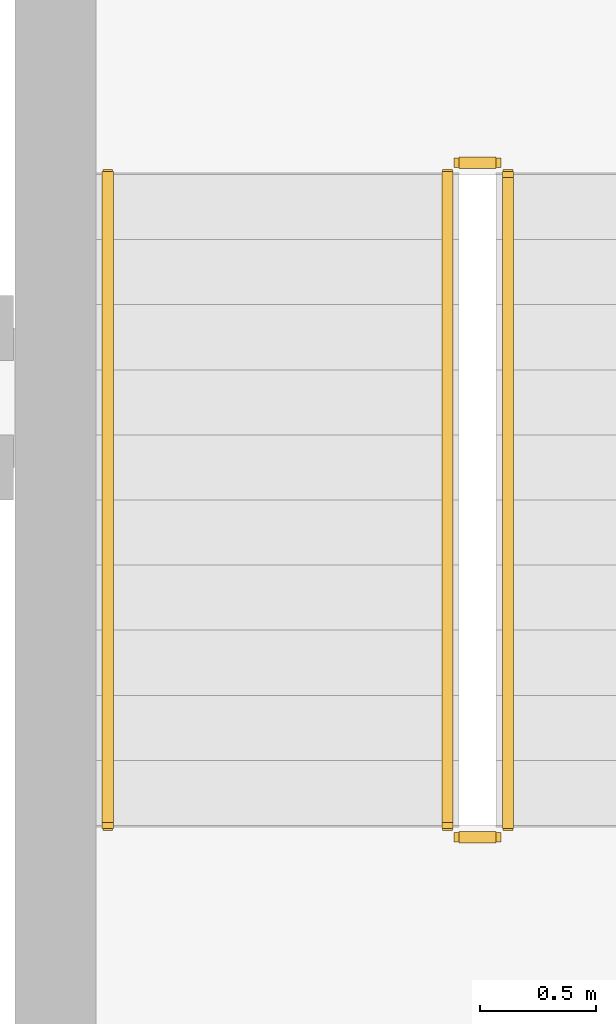
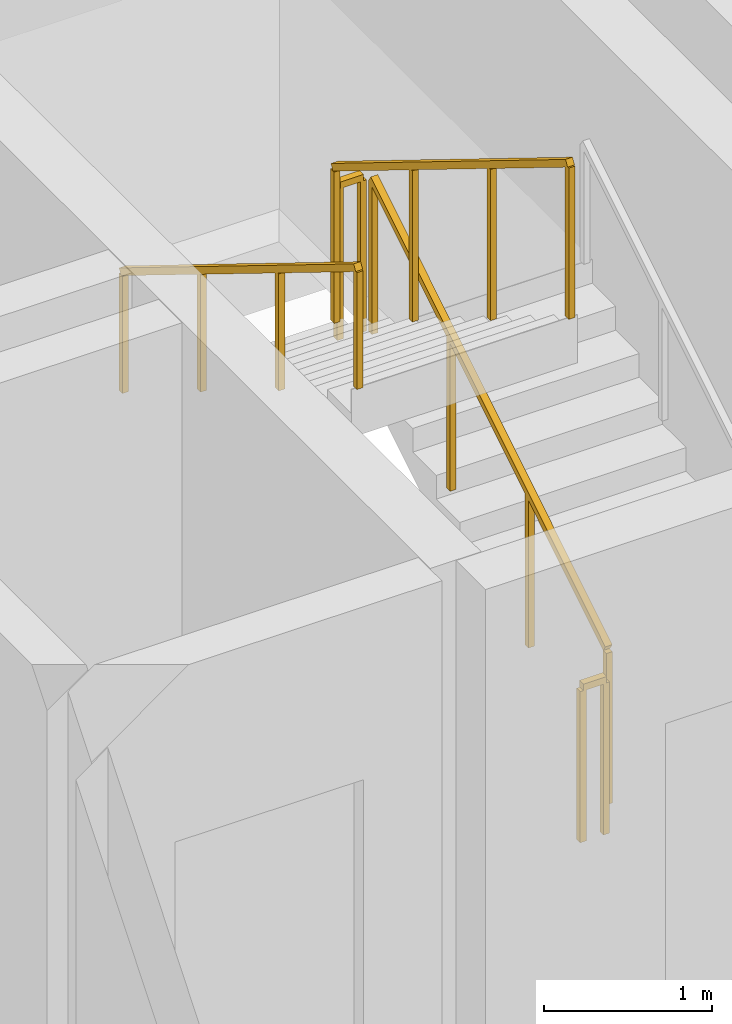
# One storey, part 13 of 14: 5 railings.
"""IFC4 building model written with IfcOpenShell, lengths in metres."""

from ifc_helpers import new_model, si_unit, direction, frame, origin, origin_2d, place, context, subcontext, project, spatial, rectangle, extrude, material, type_object, element, save


model = new_model("IFC4")

# Units and contexts
model_context = context("Model", 3, precision=1e-05, world=origin(), true_north=direction((0.0, 1.0)))
body_context = subcontext(model_context, "Body", "Model", "MODEL_VIEW")
ifc_project = project(units=[si_unit("LENGTHUNIT", "METRE"), si_unit("AREAUNIT", "SQUARE_METRE"), si_unit("VOLUMEUNIT", "CUBIC_METRE"), si_unit("PLANEANGLEUNIT", "RADIAN"), si_unit("MASSUNIT", "GRAM", prefix="KILO")], contexts=[model_context])

# Site, building, storey
site_placement = place(None, origin())
site = spatial("IfcSite", under=ifc_project, at=site_placement, CompositionType="ELEMENT")
building_placement = place(site_placement, origin())
building = spatial("IfcBuilding", under=site, at=building_placement, Name="Kaelvorn Grand Hotel", CompositionType="ELEMENT")
storey_placement = place(building_placement, frame((0.0, 0.0, 190.14990234375)))
storey = spatial("IfcBuildingStorey", under=building, at=storey_placement, Name="L46", CompositionType="ELEMENT", Elevation=190.14990234375)

# Railings
ifc_material = material(Name="Stainless Steel", Category="steel")
railing_type_1 = type_object("IfcRailingType", Name="RL-HANDRAIL-900", PredefinedType="HANDRAIL", material=ifc_material)
railing_1_placement = place(storey_placement, frame((63.3701171875, 44.56005859375, 2.07275390625)))
element("IfcRailing", 1, at=railing_1_placement, inside=storey, type_object=railing_type_1, Name="L46 ST3 stair handrail 2", PredefinedType="HANDRAIL", context=body_context, shape_type="SweptSolid", body=[
    extrude(rectangle(XDim=0.048095703125, YDim=0.048095703125, at=origin_2d()), frame((0.0, 0.0, 0.8759765625), z_axis=(0.0, -0.851089632645, 0.525020415988), x_axis=(1.0, 0.0, 0.0)), (0.0, 0.0, 1.0), 3.2900390625),
    extrude(rectangle(XDim=0.0419921875, YDim=0.0419921875, at=origin_2d()), origin(), (0.0, 0.0, 1.0), 0.851806640625),
    extrude(rectangle(XDim=0.0419921875, YDim=0.0419921875, at=origin_2d()), frame((0.0, -0.933349609375, 0.57568359375)), (0.0, 0.0, 1.0), 0.851806640625),
    extrude(rectangle(XDim=0.0419921875, YDim=0.0419921875, at=origin_2d()), frame((0.0, -1.86669921875, 1.151611328125)), (0.0, 0.0, 1.0), 0.851806640625),
    extrude(rectangle(XDim=0.0419921875, YDim=0.0419921875, at=origin_2d()), frame((0.0, -2.800048828125, 1.727294921875)), (0.0, 0.0, 1.0), 0.851806640625),
])
railing_type_2 = type_object("IfcRailingType", Name="RL-STAIR-GUARD-1150", PredefinedType="BALUSTRADE", material=ifc_material)
railing_2_placement = place(storey_placement, frame((65.090087890625, 41.760009765625, 0.1728515625)))
element("IfcRailing", 2, at=railing_2_placement, inside=storey, type_object=railing_type_2, Name="L46 ST3 stair guard 1", PredefinedType="BALUSTRADE", context=body_context, shape_type="SweptSolid", body=[
    extrude(rectangle(XDim=0.048095703125, YDim=0.048095703125, at=origin_2d()), frame((0.0, 0.0, 1.1259765625), z_axis=(0.0, 0.851089632645, 0.525020415988), x_axis=(-1.0, 0.0, 0.0)), (0.0, 0.0, 1.0), 3.2900390625),
    extrude(rectangle(XDim=0.0419921875, YDim=0.0419921875, at=origin_2d()), origin(), (0.0, 0.0, 1.0), 1.101806640625),
    extrude(rectangle(XDim=0.0419921875, YDim=0.0419921875, at=origin_2d()), frame((0.0, 0.933349609375, 0.57568359375)), (0.0, 0.0, 1.0), 1.101806640625),
    extrude(rectangle(XDim=0.0419921875, YDim=0.0419921875, at=origin_2d()), frame((0.0, 1.86669921875, 1.151611328125)), (0.0, 0.0, 1.0), 1.101806640625),
    extrude(rectangle(XDim=0.0419921875, YDim=0.0419921875, at=origin_2d()), frame((0.0, 2.800048828125, 1.727294921875)), (0.0, 0.0, 1.0), 1.101806640625),
])
railing_3_placement = place(storey_placement, frame((65.0400390625, 44.610107421875, 1.900146484375)))
element("IfcRailing", 3, at=railing_3_placement, inside=storey, type_object=railing_type_2, Name="L46 ST3 stair guard 2", PredefinedType="BALUSTRADE", context=body_context, shape_type="SweptSolid", body=[
    extrude(rectangle(XDim=0.048095703125, YDim=0.048095703125, at=origin_2d()), frame((0.0, 0.0, 1.1259765625), z_axis=(-1.0, 0.0, 0.0), x_axis=(0.0, -1.0, 0.0)), (0.0, 0.0, 1.0), 0.16015625),
    extrude(rectangle(XDim=0.0419921875, YDim=0.0419921875, at=origin_2d()), origin(), (0.0, 0.0, 1.0), 1.101806640625),
    extrude(rectangle(XDim=0.0419921875, YDim=0.0419921875, at=origin_2d()), frame((-0.16015625, 0.0, 0.0)), (0.0, 0.0, 1.0), 1.101806640625),
])
railing_4_placement = place(storey_placement, frame((64.830078125, 44.56005859375, 2.07275390625)))
element("IfcRailing", 4, at=railing_4_placement, inside=storey, type_object=railing_type_2, Name="L46 ST3 stair guard 3", PredefinedType="BALUSTRADE", context=body_context, shape_type="SweptSolid", body=[
    extrude(rectangle(XDim=0.048095703125, YDim=0.048095703125, at=origin_2d()), frame((0.0, 0.0, 1.1259765625), z_axis=(0.0, -0.851089632645, 0.525020415988), x_axis=(1.0, 0.0, 0.0)), (0.0, 0.0, 1.0), 3.2900390625),
    extrude(rectangle(XDim=0.0419921875, YDim=0.0419921875, at=origin_2d()), origin(), (0.0, 0.0, 1.0), 1.101806640625),
    extrude(rectangle(XDim=0.0419921875, YDim=0.0419921875, at=origin_2d()), frame((0.0, -0.933349609375, 0.57568359375)), (0.0, 0.0, 1.0), 1.101806640625),
    extrude(rectangle(XDim=0.0419921875, YDim=0.0419921875, at=origin_2d()), frame((0.0, -1.86669921875, 1.151611328125)), (0.0, 0.0, 1.0), 1.101806640625),
    extrude(rectangle(XDim=0.0419921875, YDim=0.0419921875, at=origin_2d()), frame((0.0, -2.800048828125, 1.727294921875)), (0.0, 0.0, 1.0), 1.101806640625),
])
railing_5_placement = place(storey_placement, frame((65.0400390625, 41.7099609375, 0.0)))
element("IfcRailing", 5, at=railing_5_placement, inside=storey, type_object=railing_type_2, Name="L46 ST3 stair guard 4", PredefinedType="BALUSTRADE", context=body_context, shape_type="SweptSolid", body=[
    extrude(rectangle(XDim=0.048095703125, YDim=0.048095703125, at=origin_2d()), frame((0.0, 0.0, 1.1259765625), z_axis=(-1.0, 0.0, 0.0), x_axis=(0.0, -1.0, 0.0)), (0.0, 0.0, 1.0), 0.16015625),
    extrude(rectangle(XDim=0.0419921875, YDim=0.0419921875, at=origin_2d()), origin(), (0.0, 0.0, 1.0), 1.101806640625),
    extrude(rectangle(XDim=0.0419921875, YDim=0.0419921875, at=origin_2d()), frame((-0.16015625, 0.0, 0.0)), (0.0, 0.0, 1.0), 1.101806640625),
])

save(model, "model.ifc")
